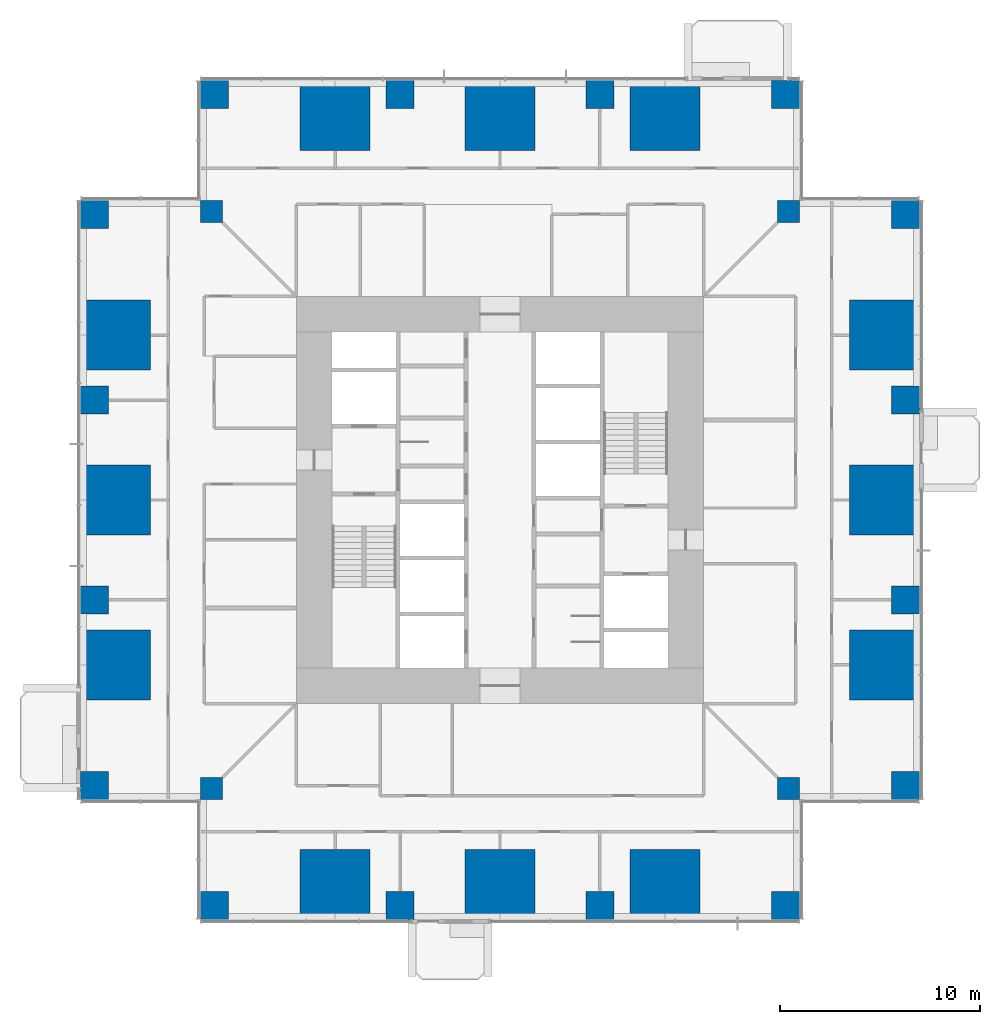
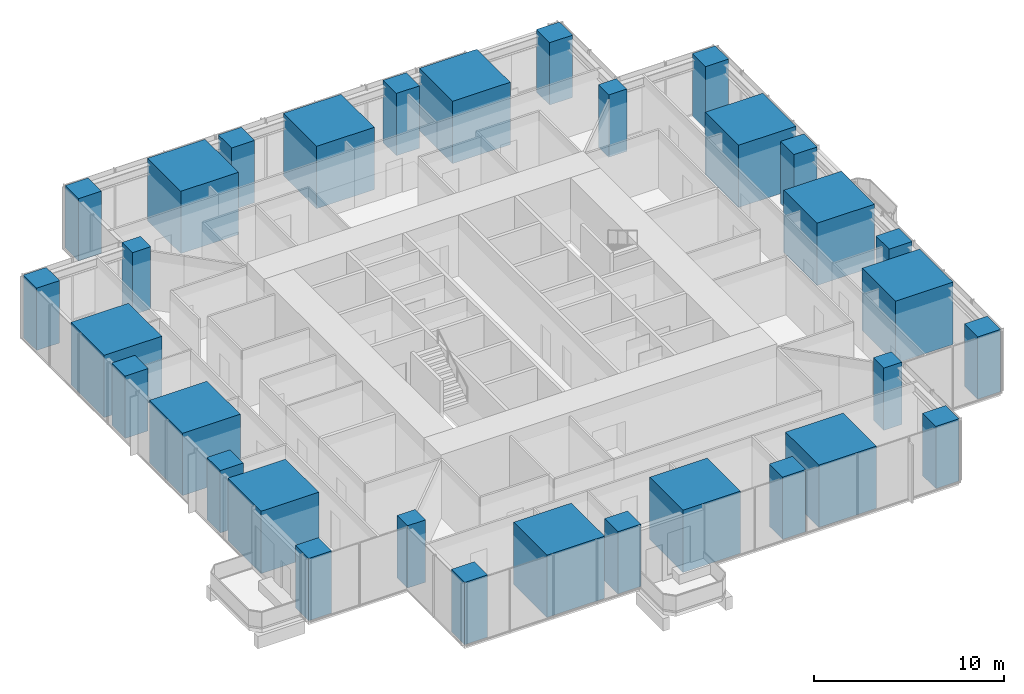
# One storey, part 1 of 18: 32 columns.
"""IFC4 building model written with IfcOpenShell, lengths in metres."""

from ifc_helpers import new_model, si_unit, direction, frame, origin, origin_2d, place, context, subcontext, project, spatial, rectangle, extrude, material, material_profile, profile_set, type_object, element, save


model = new_model("IFC4")

# Units and contexts
model_context = context("Model", 3, precision=1e-05, world=origin(), true_north=direction((0.0, 1.0)))
body_context = subcontext(model_context, "Body", "Model", "MODEL_VIEW")
ifc_project = project(units=[si_unit("LENGTHUNIT", "METRE"), si_unit("AREAUNIT", "SQUARE_METRE"), si_unit("VOLUMEUNIT", "CUBIC_METRE"), si_unit("PLANEANGLEUNIT", "RADIAN"), si_unit("MASSUNIT", "GRAM", prefix="KILO")], contexts=[model_context])

# Site, building, storey
site_placement = place(None, origin())
site = spatial("IfcSite", under=ifc_project, at=site_placement, CompositionType="ELEMENT")
building_placement = place(site_placement, origin())
building = spatial("IfcBuilding", under=site, at=building_placement, Name="Svetlomir Tower", CompositionType="ELEMENT")
storey_placement = place(building_placement, frame((0.0, 0.0, 78.5)))
storey = spatial("IfcBuildingStorey", under=building, at=storey_placement, Name="L18", CompositionType="ELEMENT", Elevation=78.5)

# Columns
ifc_material_1 = material(Name="Concrete C60/75", Category="concrete")
ifc_material_profile_1 = material_profile(ifc_material_1, rectangle(XDim=1.10009765625, YDim=1.10009765625, at=origin_2d()), Name="RC 1100x1100")
ifc_profile_set_1 = profile_set([ifc_material_profile_1], Name="Concrete C60/75")
column_type_1 = type_object("IfcColumnType", Name="COLUMN RC 1100x1100", PredefinedType="COLUMN", material=ifc_profile_set_1)
for number, where, z_axis, x_axis, name in (
    (1, (6.550048828125, 6.550048828125, 0.0), (0.0, 0.0, 1.0), (1.0, 0.0, 0.0), "Column 6/6 L18"),
    (2, (35.449951171875, 6.550048828125, 0.0), (0.0, 0.0, 1.0), (1.0, 0.0, 0.0), "Column 36/6 L18"),
    (3, (6.550048828125, 35.449951171875, 0.0), (0.0, 0.0, 1.0), (1.0, 0.0, 0.0), "Column 6/36 L18"),
    (4, (35.449951171875, 35.449951171875, 0.0), (0.0, 0.0, 1.0), (1.0, 0.0, 0.0), "Column 36/36 L18"),
):
    element("IfcColumn", number, at=place(storey_placement, frame(where, z_axis=z_axis, x_axis=x_axis)), inside=storey, type_object=column_type_1, Name=name, PredefinedType="COLUMN", context=body_context, shape_type="SweptSolid", body=[
        extrude(rectangle(XDim=1.10009765625, YDim=1.10009765625, at=origin_2d()), origin(), (0.0, 0.0, 1.0), 4.0),
    ])
ifc_material_2 = material(Name="Concrete C60/75", Category="concrete")
ifc_material_profile_2 = material_profile(ifc_material_2, rectangle(XDim=1.39990234375, YDim=1.39990234375, at=origin_2d()), Name="RC 1400x1400")
ifc_profile_set_2 = profile_set([ifc_material_profile_2], Name="Concrete C60/75")
column_type_2 = type_object("IfcColumnType", Name="COLUMN RC 1400x1400", PredefinedType="COLUMN", material=ifc_profile_set_2)
for number, where, z_axis, x_axis, name in (
    (5, (6.699951171875, 0.699951171875, 0.0), (0.0, 0.0, 1.0), (1.0, 0.0, 0.0), "Column 6/0 L18"),
    (6, (16.0, 0.699951171875, 0.0), (0.0, 0.0, 1.0), (1.0, 0.0, 0.0), "Column 16/0 L18"),
    (7, (26.0, 0.699951171875, 0.0), (0.0, 0.0, 1.0), (1.0, 0.0, 0.0), "Column 26/0 L18"),
    (8, (35.300048828125, 0.699951171875, 0.0), (0.0, 0.0, 1.0), (1.0, 0.0, 0.0), "Column 36/0 L18"),
    (9, (0.699951171875, 6.699951171875, 0.0), (0.0, 0.0, 1.0), (1.0, 0.0, 0.0), "Column 0/6 L18"),
    (10, (41.300048828125, 6.699951171875, 0.0), (0.0, 0.0, 1.0), (1.0, 0.0, 0.0), "Column 42/6 L18"),
    (11, (0.699951171875, 16.0, 0.0), (0.0, 0.0, 1.0), (1.0, 0.0, 0.0), "Column 0/16 L18"),
    (12, (41.300048828125, 16.0, 0.0), (0.0, 0.0, 1.0), (1.0, 0.0, 0.0), "Column 42/16 L18"),
    (13, (0.699951171875, 26.0, 0.0), (0.0, 0.0, 1.0), (1.0, 0.0, 0.0), "Column 0/26 L18"),
    (14, (41.300048828125, 26.0, 0.0), (0.0, 0.0, 1.0), (1.0, 0.0, 0.0), "Column 42/26 L18"),
    (15, (0.699951171875, 35.300048828125, 0.0), (0.0, 0.0, 1.0), (1.0, 0.0, 0.0), "Column 0/36 L18"),
    (16, (41.300048828125, 35.300048828125, 0.0), (0.0, 0.0, 1.0), (1.0, 0.0, 0.0), "Column 42/36 L18"),
    (17, (6.699951171875, 41.300048828125, 0.0), (0.0, 0.0, 1.0), (1.0, 0.0, 0.0), "Column 6/42 L18"),
    (18, (16.0, 41.300048828125, 0.0), (0.0, 0.0, 1.0), (1.0, 0.0, 0.0), "Column 16/42 L18"),
    (19, (26.0, 41.300048828125, 0.0), (0.0, 0.0, 1.0), (1.0, 0.0, 0.0), "Column 26/42 L18"),
    (20, (35.300048828125, 41.300048828125, 0.0), (0.0, 0.0, 1.0), (1.0, 0.0, 0.0), "Column 36/42 L18"),
):
    element("IfcColumn", number, at=place(storey_placement, frame(where, z_axis=z_axis, x_axis=x_axis)), inside=storey, type_object=column_type_2, Name=name, PredefinedType="COLUMN", context=body_context, shape_type="SweptSolid", body=[
        extrude(rectangle(XDim=1.39990234375, YDim=1.39990234375, at=origin_2d()), origin(), (0.0, 0.0, 1.0), 4.0),
    ])
ifc_material_3 = material(Name="Concrete C60/75", Category="concrete")
ifc_material_profile_3 = material_profile(ifc_material_3, rectangle(XDim=3.5, YDim=3.5, at=origin_2d()), Name="RC 3500x3500")
ifc_profile_set_3 = profile_set([ifc_material_profile_3], Name="Concrete C60/75")
column_type_3 = type_object("IfcColumnType", Name="COLUMN RC 3500x3500", PredefinedType="COLUMN", material=ifc_profile_set_3)
for number, where, z_axis, x_axis, name in (
    (21, (12.75, 1.75, 0.0), (0.0, 0.0, 1.0), (1.0, 0.0, 0.0), "Column 11/0 L18"),
    (22, (21.0, 1.75, 0.0), (0.0, 0.0, 1.0), (1.0, 0.0, 0.0), "Column 21/0 L18"),
    (23, (29.25, 1.75, 0.0), (0.0, 0.0, 1.0), (1.0, 0.0, 0.0), "Column 31/0 L18"),
    (24, (1.75, 12.75, 0.0), (0.0, 0.0, 1.0), (1.0, 0.0, 0.0), "Column 0/11 L18"),
    (25, (40.25, 12.75, 0.0), (0.0, 0.0, 1.0), (1.0, 0.0, 0.0), "Column 42/11 L18"),
    (26, (1.75, 21.0, 0.0), (0.0, 0.0, 1.0), (1.0, 0.0, 0.0), "Column 0/21 L18"),
    (27, (40.25, 21.0, 0.0), (0.0, 0.0, 1.0), (1.0, 0.0, 0.0), "Column 42/21 L18"),
    (28, (1.75, 29.25, 0.0), (0.0, 0.0, 1.0), (1.0, 0.0, 0.0), "Column 0/31 L18"),
    (29, (40.25, 29.25, 0.0), (0.0, 0.0, 1.0), (1.0, 0.0, 0.0), "Column 42/31 L18"),
    (30, (12.75, 40.25, 0.0), (0.0, 0.0, 1.0), (1.0, 0.0, 0.0), "Column 11/42 L18"),
    (31, (21.0, 40.25, 0.0), (0.0, 0.0, 1.0), (1.0, 0.0, 0.0), "Column 21/42 L18"),
    (32, (29.25, 40.25, 0.0), (0.0, 0.0, 1.0), (1.0, 0.0, 0.0), "Column 31/42 L18"),
):
    element("IfcColumn", number, at=place(storey_placement, frame(where, z_axis=z_axis, x_axis=x_axis)), inside=storey, type_object=column_type_3, Name=name, PredefinedType="COLUMN", context=body_context, shape_type="SweptSolid", body=[
        extrude(rectangle(XDim=3.5, YDim=3.5, at=origin_2d()), origin(), (0.0, 0.0, 1.0), 4.0),
    ])

save(model, "model.ifc")
